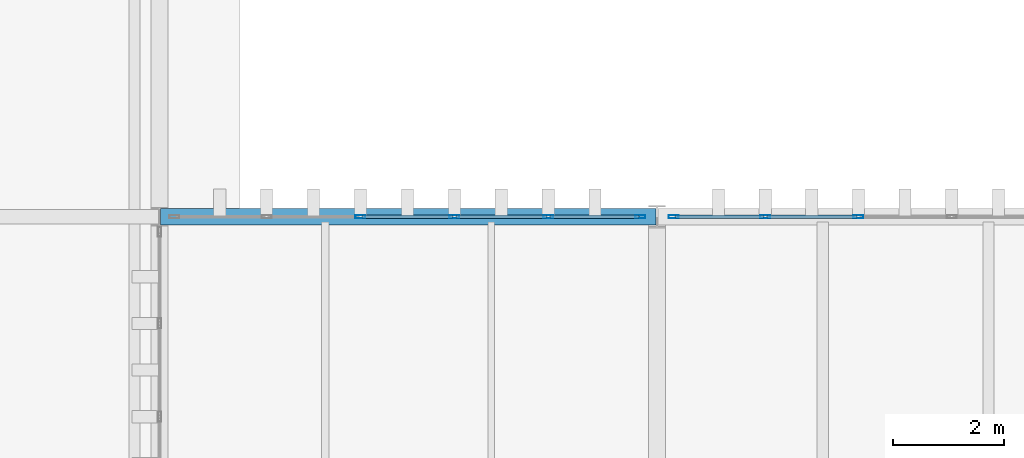
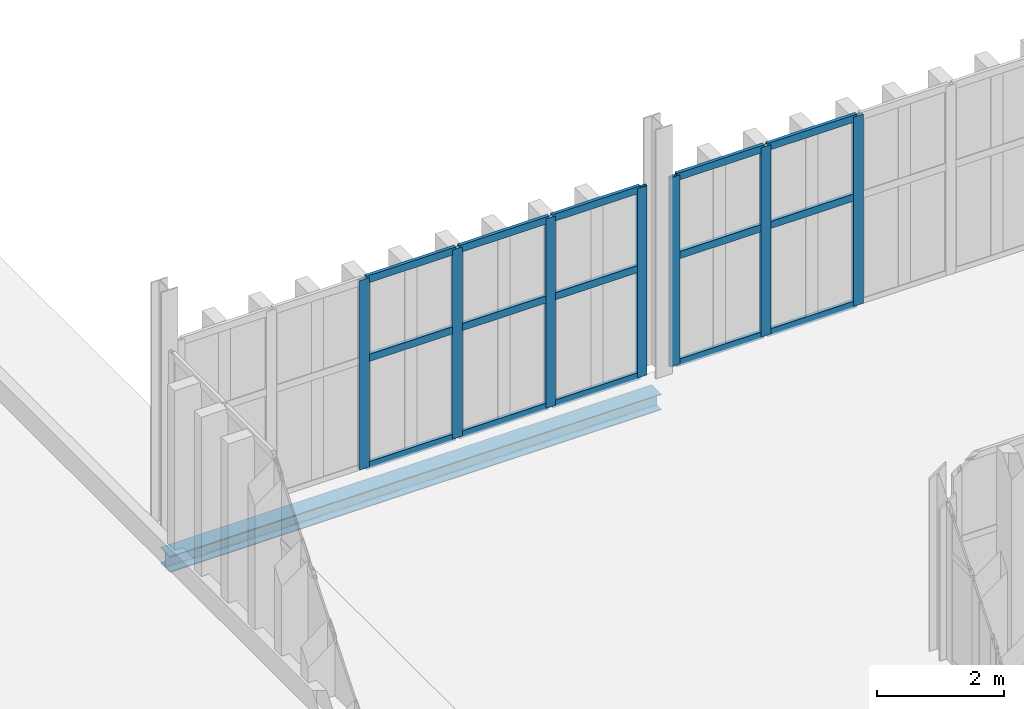
# One storey, part 145 of 196: 22 members, 1 beam, 2 elements without a shape of their own.
"""IFC4 building model written with IfcOpenShell, lengths in metres."""

from ifc_helpers import new_model, si_unit, direction, frame, origin, origin_2d, place, context, subcontext, project, spatial, hollow_rectangle, i_section, extrude, material, layer, layer_set, material_profile, profile_set, type_object, element, aggregate, save


model = new_model("IFC4")

# Units and contexts
model_context = context("Model", 3, precision=1e-05, world=origin(), true_north=direction((0.0, 1.0)))
body_context = subcontext(model_context, "Body", "Model", "MODEL_VIEW")
ifc_project = project(units=[si_unit("LENGTHUNIT", "METRE"), si_unit("AREAUNIT", "SQUARE_METRE"), si_unit("VOLUMEUNIT", "CUBIC_METRE"), si_unit("PLANEANGLEUNIT", "RADIAN"), si_unit("MASSUNIT", "GRAM", prefix="KILO")], contexts=[model_context])

# Site, building, storey
site_placement = place(None, origin())
site = spatial("IfcSite", under=ifc_project, at=site_placement, CompositionType="ELEMENT")
building_placement = place(site_placement, origin())
building = spatial("IfcBuilding", under=site, at=building_placement, Name="Barlavento Convention Centre", CompositionType="ELEMENT")
storey_placement = place(building_placement, frame((0.0, 0.0, 18.0)))
storey = spatial("IfcBuildingStorey", under=building, at=storey_placement, Name="L03", CompositionType="ELEMENT", Elevation=18.0)

# Curtain wall, members
ifc_material_1 = material(Name="Powder-coated aluminium and Low-E glass", Category="aluminium")
ifc_layer = layer(ifc_material_1, 0.179931640625)
ifc_layer_set = layer_set([ifc_layer], Name="ARC-CW-CONF-L03")
curtain_wall_type = type_object("IfcCurtainWallType", Name="ARC-CW-CONF-L03", PredefinedType="NOTDEFINED", material=ifc_layer_set)
curtain_wall_1_placement = place(storey_placement, origin())
curtain_wall_1 = element("IfcCurtainWall", 1, at=curtain_wall_1_placement, inside=storey, type_object=curtain_wall_type, Name="L03 unitised curtain wall CW08", PredefinedType="NOTDEFINED")
ifc_material_2 = material(Name="Powder-coated aluminium", Category="aluminium")
ifc_material_profile_1 = material_profile(ifc_material_2, hollow_rectangle(XDim=0.06005859375, YDim=0.179931640625, WallThickness=0.0048828125, at=origin_2d()), Name="AL-MULL 60x180x5")
ifc_profile_set_1 = profile_set([ifc_material_profile_1], Name="Powder-coated aluminium")
member_type_1 = type_object("IfcMemberType", Name="ARC-CWM-60X180", PredefinedType="MULLION", material=ifc_profile_set_1)
member_1_placement = place(storey_placement, frame((129.635986328125, 99.0, 0.0), z_axis=(0.0, 0.0, 1.0), x_axis=(0.0, 1.0, 0.0)))
member_1 = element("IfcMember", 2, at=member_1_placement, type_object=member_type_1, Name="CW08 mullion 3", PredefinedType="MULLION", context=body_context, shape_type="SweptSolid", body=[
    extrude(hollow_rectangle(XDim=0.06005859375, YDim=0.179931640625, WallThickness=0.0048828125, at=origin_2d()), origin(), (0.0, 0.0, 1.0), 3.64990234375),
])
member_2_placement = place(storey_placement, frame((131.333984375, 99.0, 0.0), z_axis=(0.0, 0.0, 1.0), x_axis=(0.0, 1.0, 0.0)))
member_2 = element("IfcMember", 3, at=member_2_placement, type_object=member_type_1, Name="CW08 mullion 4", PredefinedType="MULLION", context=body_context, shape_type="SweptSolid", body=[
    extrude(hollow_rectangle(XDim=0.06005859375, YDim=0.179931640625, WallThickness=0.0048828125, at=origin_2d()), origin(), (0.0, 0.0, 1.0), 3.64990234375),
])
member_3_placement = place(storey_placement, frame((133.031982421875, 99.0, 0.0), z_axis=(0.0, 0.0, 1.0), x_axis=(0.0, 1.0, 0.0)))
member_3 = element("IfcMember", 4, at=member_3_placement, type_object=member_type_1, Name="CW08 mullion 5", PredefinedType="MULLION", context=body_context, shape_type="SweptSolid", body=[
    extrude(hollow_rectangle(XDim=0.06005859375, YDim=0.179931640625, WallThickness=0.0048828125, at=origin_2d()), origin(), (0.0, 0.0, 1.0), 3.64990234375),
])
member_4_placement = place(storey_placement, frame((134.699951171875, 99.0, 0.0), z_axis=(0.0, 0.0, 1.0), x_axis=(0.0, 1.0, 0.0)))
member_4 = element("IfcMember", 5, at=member_4_placement, type_object=member_type_1, Name="CW08 mullion 6", PredefinedType="MULLION", context=body_context, shape_type="SweptSolid", body=[
    extrude(hollow_rectangle(XDim=0.06005859375, YDim=0.179931640625, WallThickness=0.0048828125, at=origin_2d()), origin(), (0.0, 0.0, 1.0), 3.64990234375),
])

curtain_wall_2_placement = place(storey_placement, origin())
curtain_wall_2 = element("IfcCurtainWall", 6, at=curtain_wall_2_placement, inside=storey, type_object=curtain_wall_type, Name="L03 unitised curtain wall CW08", PredefinedType="NOTDEFINED")
member_5_placement = place(storey_placement, frame((135.300048828125, 99.0, 0.0), z_axis=(0.0, 0.0, 1.0), x_axis=(0.0, 1.0, 0.0)))
member_5 = element("IfcMember", 7, at=member_5_placement, type_object=member_type_1, Name="CW08 mullion 1", PredefinedType="MULLION", context=body_context, shape_type="SweptSolid", body=[
    extrude(hollow_rectangle(XDim=0.06005859375, YDim=0.179931640625, WallThickness=0.0048828125, at=origin_2d()), origin(), (0.0, 0.0, 1.0), 3.64990234375),
])
member_6_placement = place(storey_placement, frame((136.95703125, 99.0, 0.0), z_axis=(0.0, 0.0, 1.0), x_axis=(0.0, 1.0, 0.0)))
member_6 = element("IfcMember", 8, at=member_6_placement, type_object=member_type_1, Name="CW08 mullion 2", PredefinedType="MULLION", context=body_context, shape_type="SweptSolid", body=[
    extrude(hollow_rectangle(XDim=0.06005859375, YDim=0.179931640625, WallThickness=0.0048828125, at=origin_2d()), origin(), (0.0, 0.0, 1.0), 3.64990234375),
])
member_7_placement = place(storey_placement, frame((138.64404296875, 99.0, 0.0), z_axis=(0.0, 0.0, 1.0), x_axis=(0.0, 1.0, 0.0)))
member_7 = element("IfcMember", 9, at=member_7_placement, type_object=member_type_1, Name="CW08 mullion 3", PredefinedType="MULLION", context=body_context, shape_type="SweptSolid", body=[
    extrude(hollow_rectangle(XDim=0.06005859375, YDim=0.179931640625, WallThickness=0.0048828125, at=origin_2d()), origin(), (0.0, 0.0, 1.0), 3.64990234375),
])

# Member
ifc_material_profile_2 = material_profile(ifc_material_2, hollow_rectangle(XDim=0.06005859375, YDim=0.139892578125, WallThickness=0.00390625, at=origin_2d()), Name="AL-TRAN 60x140x4")
ifc_profile_set_2 = profile_set([ifc_material_profile_2], Name="Powder-coated aluminium")
member_type_2 = type_object("IfcMemberType", Name="ARC-CWT-60X140", PredefinedType="USERDEFINED", material=ifc_profile_set_2)
member_8_placement = place(storey_placement, frame((129.666015625, 99.0, 0.030029296875), z_axis=(1.0, 0.0, 0.0), x_axis=(0.0, 1.0, 0.0)))
member_8 = element("IfcMember", 10, at=member_8_placement, type_object=member_type_2, Name="CW08 transom 3.1", ObjectType="TRANSOM", PredefinedType="USERDEFINED", context=body_context, shape_type="SweptSolid", body=[
    extrude(hollow_rectangle(XDim=0.06005859375, YDim=0.139892578125, WallThickness=0.00390625, at=origin_2d()), origin(), (0.0, 0.0, 1.0), 1.637939453125),
])

member_9_placement = place(storey_placement, frame((129.666015625, 99.0, 2.10009765625), z_axis=(1.0, 0.0, 0.0), x_axis=(0.0, 1.0, 0.0)))
member_9 = element("IfcMember", 11, at=member_9_placement, type_object=member_type_2, Name="CW08 transom 3.2", ObjectType="TRANSOM", PredefinedType="USERDEFINED", context=body_context, shape_type="SweptSolid", body=[
    extrude(hollow_rectangle(XDim=0.06005859375, YDim=0.139892578125, WallThickness=0.00390625, at=origin_2d()), origin(), (0.0, 0.0, 1.0), 1.637939453125),
])

member_10_placement = place(storey_placement, frame((129.666015625, 99.0, 3.6201171875), z_axis=(1.0, 0.0, 0.0), x_axis=(0.0, 1.0, 0.0)))
member_10 = element("IfcMember", 12, at=member_10_placement, type_object=member_type_2, Name="CW08 transom 3.3", ObjectType="TRANSOM", PredefinedType="USERDEFINED", context=body_context, shape_type="SweptSolid", body=[
    extrude(hollow_rectangle(XDim=0.06005859375, YDim=0.139892578125, WallThickness=0.00390625, at=origin_2d()), origin(), (0.0, 0.0, 1.0), 1.637939453125),
])

member_11_placement = place(storey_placement, frame((131.364013671875, 99.0, 0.030029296875), z_axis=(1.0, 0.0, 0.0), x_axis=(0.0, 1.0, 0.0)))
member_11 = element("IfcMember", 13, at=member_11_placement, type_object=member_type_2, Name="CW08 transom 4.1", ObjectType="TRANSOM", PredefinedType="USERDEFINED", context=body_context, shape_type="SweptSolid", body=[
    extrude(hollow_rectangle(XDim=0.06005859375, YDim=0.139892578125, WallThickness=0.00390625, at=origin_2d()), origin(), (0.0, 0.0, 1.0), 1.637939453125),
])

member_12_placement = place(storey_placement, frame((131.364013671875, 99.0, 2.10009765625), z_axis=(1.0, 0.0, 0.0), x_axis=(0.0, 1.0, 0.0)))
member_12 = element("IfcMember", 14, at=member_12_placement, type_object=member_type_2, Name="CW08 transom 4.2", ObjectType="TRANSOM", PredefinedType="USERDEFINED", context=body_context, shape_type="SweptSolid", body=[
    extrude(hollow_rectangle(XDim=0.06005859375, YDim=0.139892578125, WallThickness=0.00390625, at=origin_2d()), origin(), (0.0, 0.0, 1.0), 1.637939453125),
])

member_13_placement = place(storey_placement, frame((131.364013671875, 99.0, 3.6201171875), z_axis=(1.0, 0.0, 0.0), x_axis=(0.0, 1.0, 0.0)))
member_13 = element("IfcMember", 15, at=member_13_placement, type_object=member_type_2, Name="CW08 transom 4.3", ObjectType="TRANSOM", PredefinedType="USERDEFINED", context=body_context, shape_type="SweptSolid", body=[
    extrude(hollow_rectangle(XDim=0.06005859375, YDim=0.139892578125, WallThickness=0.00390625, at=origin_2d()), origin(), (0.0, 0.0, 1.0), 1.637939453125),
])

member_14_placement = place(storey_placement, frame((133.06201171875, 99.0, 0.030029296875), z_axis=(1.0, 0.0, 0.0), x_axis=(0.0, 1.0, 0.0)))
member_14 = element("IfcMember", 16, at=member_14_placement, type_object=member_type_2, Name="CW08 transom 5.1", ObjectType="TRANSOM", PredefinedType="USERDEFINED", context=body_context, shape_type="SweptSolid", body=[
    extrude(hollow_rectangle(XDim=0.06005859375, YDim=0.139892578125, WallThickness=0.00390625, at=origin_2d()), origin(), (0.0, 0.0, 1.0), 1.60791015625),
])

member_15_placement = place(storey_placement, frame((133.06201171875, 99.0, 2.10009765625), z_axis=(1.0, 0.0, 0.0), x_axis=(0.0, 1.0, 0.0)))
member_15 = element("IfcMember", 17, at=member_15_placement, type_object=member_type_2, Name="CW08 transom 5.2", ObjectType="TRANSOM", PredefinedType="USERDEFINED", context=body_context, shape_type="SweptSolid", body=[
    extrude(hollow_rectangle(XDim=0.06005859375, YDim=0.139892578125, WallThickness=0.00390625, at=origin_2d()), origin(), (0.0, 0.0, 1.0), 1.60791015625),
])

member_16_placement = place(storey_placement, frame((133.06201171875, 99.0, 3.6201171875), z_axis=(1.0, 0.0, 0.0), x_axis=(0.0, 1.0, 0.0)))
member_16 = element("IfcMember", 18, at=member_16_placement, type_object=member_type_2, Name="CW08 transom 5.3", ObjectType="TRANSOM", PredefinedType="USERDEFINED", context=body_context, shape_type="SweptSolid", body=[
    extrude(hollow_rectangle(XDim=0.06005859375, YDim=0.139892578125, WallThickness=0.00390625, at=origin_2d()), origin(), (0.0, 0.0, 1.0), 1.60791015625),
])

aggregate(curtain_wall_1, [member_1, member_2, member_3, member_4, member_8, member_9, member_10, member_11, member_12, member_13, member_14, member_15, member_16])

member_17_placement = place(storey_placement, frame((135.330078125, 99.0, 0.030029296875), z_axis=(1.0, 0.0, 0.0), x_axis=(0.0, 1.0, 0.0)))
member_17 = element("IfcMember", 19, at=member_17_placement, type_object=member_type_2, Name="CW08 transom 1.1", ObjectType="TRANSOM", PredefinedType="USERDEFINED", context=body_context, shape_type="SweptSolid", body=[
    extrude(hollow_rectangle(XDim=0.06005859375, YDim=0.139892578125, WallThickness=0.00390625, at=origin_2d()), origin(), (0.0, 0.0, 1.0), 1.596923828125),
])

member_18_placement = place(storey_placement, frame((135.330078125, 99.0, 2.10009765625), z_axis=(1.0, 0.0, 0.0), x_axis=(0.0, 1.0, 0.0)))
member_18 = element("IfcMember", 20, at=member_18_placement, type_object=member_type_2, Name="CW08 transom 1.2", ObjectType="TRANSOM", PredefinedType="USERDEFINED", context=body_context, shape_type="SweptSolid", body=[
    extrude(hollow_rectangle(XDim=0.06005859375, YDim=0.139892578125, WallThickness=0.00390625, at=origin_2d()), origin(), (0.0, 0.0, 1.0), 1.596923828125),
])

member_19_placement = place(storey_placement, frame((135.330078125, 99.0, 3.6201171875), z_axis=(1.0, 0.0, 0.0), x_axis=(0.0, 1.0, 0.0)))
member_19 = element("IfcMember", 21, at=member_19_placement, type_object=member_type_2, Name="CW08 transom 1.3", ObjectType="TRANSOM", PredefinedType="USERDEFINED", context=body_context, shape_type="SweptSolid", body=[
    extrude(hollow_rectangle(XDim=0.06005859375, YDim=0.139892578125, WallThickness=0.00390625, at=origin_2d()), origin(), (0.0, 0.0, 1.0), 1.596923828125),
])

member_20_placement = place(storey_placement, frame((136.987060546875, 99.0, 0.030029296875), z_axis=(1.0, 0.0, 0.0), x_axis=(0.0, 1.0, 0.0)))
member_20 = element("IfcMember", 22, at=member_20_placement, type_object=member_type_2, Name="CW08 transom 2.1", ObjectType="TRANSOM", PredefinedType="USERDEFINED", context=body_context, shape_type="SweptSolid", body=[
    extrude(hollow_rectangle(XDim=0.06005859375, YDim=0.139892578125, WallThickness=0.00390625, at=origin_2d()), origin(), (0.0, 0.0, 1.0), 1.626953125),
])

member_21_placement = place(storey_placement, frame((136.987060546875, 99.0, 2.10009765625), z_axis=(1.0, 0.0, 0.0), x_axis=(0.0, 1.0, 0.0)))
member_21 = element("IfcMember", 23, at=member_21_placement, type_object=member_type_2, Name="CW08 transom 2.2", ObjectType="TRANSOM", PredefinedType="USERDEFINED", context=body_context, shape_type="SweptSolid", body=[
    extrude(hollow_rectangle(XDim=0.06005859375, YDim=0.139892578125, WallThickness=0.00390625, at=origin_2d()), origin(), (0.0, 0.0, 1.0), 1.626953125),
])

member_22_placement = place(storey_placement, frame((136.987060546875, 99.0, 3.6201171875), z_axis=(1.0, 0.0, 0.0), x_axis=(0.0, 1.0, 0.0)))
member_22 = element("IfcMember", 24, at=member_22_placement, type_object=member_type_2, Name="CW08 transom 2.3", ObjectType="TRANSOM", PredefinedType="USERDEFINED", context=body_context, shape_type="SweptSolid", body=[
    extrude(hollow_rectangle(XDim=0.06005859375, YDim=0.139892578125, WallThickness=0.00390625, at=origin_2d()), origin(), (0.0, 0.0, 1.0), 1.626953125),
])

aggregate(curtain_wall_2, [member_5, member_6, member_7, member_17, member_18, member_19, member_20, member_21, member_22])

# Beam
ifc_material_3 = material(Name="Steel S355", Category="steel")
ifc_material_profile_3 = material_profile(ifc_material_3, i_section(OverallWidth=0.300048828125, OverallDepth=0.31005859375, WebThickness=0.009033203125, FlangeThickness=0.015380859375, FilletRadius=0.027099609375, at=origin_2d()), Name="HEA 320")
ifc_profile_set_3 = profile_set([ifc_material_profile_3], Name="Steel S355")
beam_type = type_object("IfcBeamType", Name="STR-BM-SPN-HEA320", PredefinedType="SPANDREL", material=ifc_profile_set_3)
beam_placement = place(storey_placement, frame((126.02001953125, 99.0, -0.514892578125), z_axis=(1.0, 0.0, 0.0), x_axis=(0.0, 1.0, 0.0)))
element("IfcBeam", 25, at=beam_placement, inside=storey, type_object=beam_type, Name="L03 primary girder SP01", PredefinedType="SPANDREL", context=body_context, shape_type="SweptSolid", body=[
    extrude(i_section(OverallWidth=0.300048828125, OverallDepth=0.31005859375, WebThickness=0.009033203125, FlangeThickness=0.015380859375, FilletRadius=0.027099609375, at=origin_2d()), origin(), (0.0, 0.0, 1.0), 8.9599609375),
])

save(model, "model.ifc")
